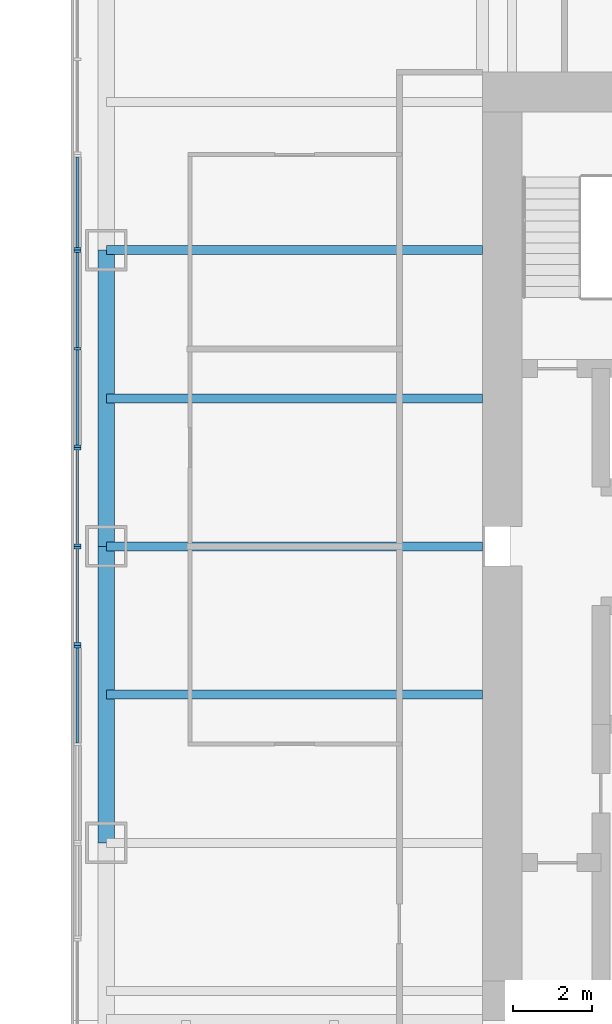
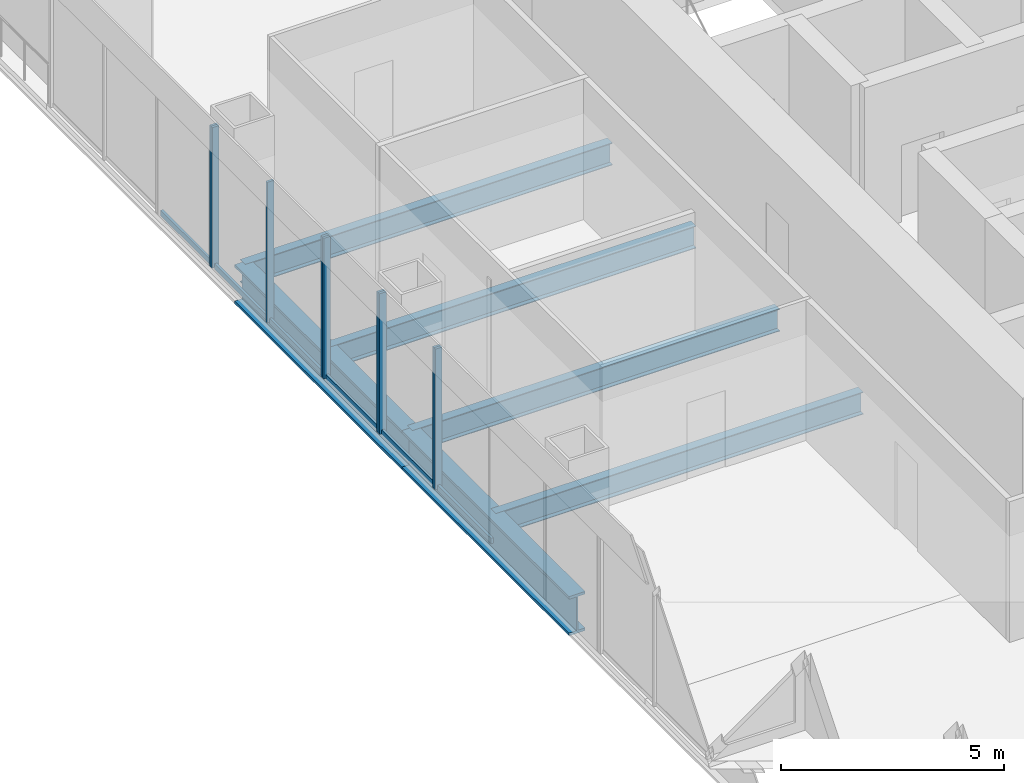
# One storey, part 3 of 13: 15 members, 6 beams, 5 elements without a shape of their own.
"""IFC4 building model written with IfcOpenShell, lengths in metres."""

from ifc_helpers import new_model, si_unit, direction, frame, origin, origin_2d, place, context, subcontext, project, spatial, rectangle, i_section, extrude, material, material_profile, profile_set, type_object, element, aggregate, save


model = new_model("IFC4")

# Units and contexts
model_context = context("Model", 3, precision=1e-05, world=origin(), true_north=direction((0.0, 1.0)))
body_context = subcontext(model_context, "Body", "Model", "MODEL_VIEW")
ifc_project = project(units=[si_unit("LENGTHUNIT", "METRE"), si_unit("AREAUNIT", "SQUARE_METRE"), si_unit("VOLUMEUNIT", "CUBIC_METRE"), si_unit("PLANEANGLEUNIT", "RADIAN"), si_unit("MASSUNIT", "GRAM", prefix="KILO")], contexts=[model_context])

# Site, building, storey
site_placement = place(None, origin())
site = spatial("IfcSite", under=ifc_project, at=site_placement, CompositionType="ELEMENT")
building_placement = place(site_placement, origin())
building = spatial("IfcBuilding", under=site, at=building_placement, Name="Tarangal Relay Tower", CompositionType="ELEMENT")
storey_placement = place(building_placement, frame((0.0, 0.0, 237.89990234375)))
storey = spatial("IfcBuildingStorey", under=building, at=storey_placement, Name="L51", CompositionType="ELEMENT", Elevation=237.89990234375)

# Beams
ifc_material_1 = material(Name="Steel ASTM A992", Category="steel")
ifc_material_profile_1 = material_profile(ifc_material_1, i_section(OverallWidth=0.41650390625, OverallDepth=1.0693359375, WebThickness=0.0390625, FlangeThickness=0.070068359375, at=origin_2d()), Name="W40X503")
ifc_profile_set_1 = profile_set([ifc_material_profile_1], Name="Steel ASTM A992")
beam_type_1 = type_object("IfcBeamType", Name="Edge girder W40X503", PredefinedType="SPANDREL", material=ifc_profile_set_1)
for number, where, z_axis, x_axis, name in (
    (1, (-21.514892578125, -7.5, -0.6845703125), (0.0, 1.0, 0.0), (-1.0, 0.0, 0.0), "Edge girder EG8 W L51"),
    (2, (-21.514892578125, 0.0, -0.6845703125), (0.0, 1.0, 0.0), (-1.0, 0.0, 0.0), "Edge girder EG8 W L51"),
):
    element("IfcBeam", number, at=place(storey_placement, frame(where, z_axis=z_axis, x_axis=x_axis)), inside=storey, type_object=beam_type_1, Name=name, PredefinedType="SPANDREL", context=body_context, shape_type="SweptSolid", body=[
        extrude(i_section(OverallWidth=0.41650390625, OverallDepth=1.0693359375, WebThickness=0.0390625, FlangeThickness=0.070068359375, at=origin_2d()), origin(), (0.0, 0.0, 1.0), 7.5),
    ])
ifc_material_profile_2 = material_profile(ifc_material_1, i_section(OverallWidth=0.22900390625, OverallDepth=0.612060546875, WebThickness=0.011962890625, FlangeThickness=0.01953125, at=origin_2d()), Name="W24X84")
ifc_profile_set_2 = profile_set([ifc_material_profile_2], Name="Steel ASTM A992")
beam_type_2 = type_object("IfcBeamType", Name="Floor beam W24X84", PredefinedType="BEAM", material=ifc_profile_set_2)
for number, where, z_axis, x_axis, name in (
    (3, (-12.0, -3.75, -0.455810546875), (-1.0, 0.0, 0.0), (0.0, -1.0, 0.0), "Floor beam RB12 W L51"),
    (4, (-12.0, 0.0, -0.455810546875), (-1.0, 0.0, 0.0), (0.0, -1.0, 0.0), "Floor beam RB12 W L51"),
    (5, (-12.0, 3.75, -0.455810546875), (-1.0, 0.0, 0.0), (0.0, -1.0, 0.0), "Floor beam RB12 W L51"),
    (6, (-12.0, 7.5, -0.455810546875), (-1.0, 0.0, 0.0), (0.0, -1.0, 0.0), "Floor beam RB12 W L51"),
):
    element("IfcBeam", number, at=place(storey_placement, frame(where, z_axis=z_axis, x_axis=x_axis)), inside=storey, type_object=beam_type_2, Name=name, PredefinedType="BEAM", context=body_context, shape_type="SweptSolid", body=[
        extrude(i_section(OverallWidth=0.22900390625, OverallDepth=0.612060546875, WebThickness=0.011962890625, FlangeThickness=0.01953125, at=origin_2d()), origin(), (0.0, 0.0, 1.0), 9.514892578125),
    ])

# Curtain wall, members
ifc_material_2 = material(Name="Unitised curtain wall, dark glass and black aluminium", Category="aluminium")
curtain_wall_type_1 = type_object("IfcCurtainWallType", Name="Curtain wall CW-A", PredefinedType="USERDEFINED", material=ifc_material_2)
curtain_wall_1_placement = place(storey_placement, origin())
curtain_wall_1 = element("IfcCurtainWall", 7, at=curtain_wall_1_placement, inside=storey, type_object=curtain_wall_type_1, Name="Curtain wall CW-A W facade L51", ObjectType="UNITISED CURTAIN WALL", PredefinedType="USERDEFINED")
ifc_material_3 = material(Name="Black anodised aluminium mullion", Category="aluminium")
ifc_material_profile_3 = material_profile(ifc_material_3, rectangle(XDim=0.175048828125, YDim=0.06494140625, at=origin_2d()), Name="CW-AM 65X175")
ifc_profile_set_3 = profile_set([ifc_material_profile_3], Name="Black anodised aluminium mullion")
member_type_1 = type_object("IfcMemberType", Name="Mullion CW-A 65 x 175", PredefinedType="MULLION", material=ifc_profile_set_3)
member_1_placement = place(storey_placement, frame((-22.25, -2.467529296875, 0.0), z_axis=(0.0, 0.0, 1.0), x_axis=(-1.0, 0.0, 0.0)))
member_1 = element("IfcMember", 8, at=member_1_placement, type_object=member_type_1, Name="CW-A mullion 1", PredefinedType="MULLION", context=body_context, shape_type="SweptSolid", body=[
    extrude(rectangle(XDim=0.175048828125, YDim=0.06494140625, at=origin_2d()), origin(), (0.0, 0.0, 1.0), 3.85009765625),
])
member_2_placement = place(storey_placement, frame((-22.25, -0.032470703125, 0.0), z_axis=(0.0, 0.0, 1.0), x_axis=(-1.0, 0.0, 0.0)))
member_2 = element("IfcMember", 9, at=member_2_placement, type_object=member_type_1, Name="CW-A mullion 2", PredefinedType="MULLION", context=body_context, shape_type="SweptSolid", body=[
    extrude(rectangle(XDim=0.175048828125, YDim=0.06494140625, at=origin_2d()), origin(), (0.0, 0.0, 1.0), 3.85009765625),
])

curtain_wall_2_placement = place(storey_placement, origin())
curtain_wall_2 = element("IfcCurtainWall", 10, at=curtain_wall_2_placement, inside=storey, type_object=curtain_wall_type_1, Name="Curtain wall CW-A W facade L51", ObjectType="UNITISED CURTAIN WALL", PredefinedType="USERDEFINED")
member_3_placement = place(storey_placement, frame((-22.25, 0.032470703125, 0.0), z_axis=(0.0, 0.0, 1.0), x_axis=(-1.0, 0.0, 0.0)))
member_3 = element("IfcMember", 11, at=member_3_placement, type_object=member_type_1, Name="CW-A mullion 1", PredefinedType="MULLION", context=body_context, shape_type="SweptSolid", body=[
    extrude(rectangle(XDim=0.175048828125, YDim=0.06494140625, at=origin_2d()), origin(), (0.0, 0.0, 1.0), 3.85009765625),
])
member_4_placement = place(storey_placement, frame((-22.25, 2.467529296875, 0.0), z_axis=(0.0, 0.0, 1.0), x_axis=(-1.0, 0.0, 0.0)))
member_4 = element("IfcMember", 12, at=member_4_placement, type_object=member_type_1, Name="CW-A mullion 2", PredefinedType="MULLION", context=body_context, shape_type="SweptSolid", body=[
    extrude(rectangle(XDim=0.175048828125, YDim=0.06494140625, at=origin_2d()), origin(), (0.0, 0.0, 1.0), 3.85009765625),
])

# Curtain wall, member
ifc_material_4 = material(Name="Unitised curtain wall frame, black aluminium, with metal clad infill walls", Category="aluminium")
curtain_wall_type_2 = type_object("IfcCurtainWallType", Name="Curtain wall CW-AO", PredefinedType="USERDEFINED", material=ifc_material_4)
curtain_wall_3_placement = place(storey_placement, origin())
curtain_wall_3 = element("IfcCurtainWall", 13, at=curtain_wall_3_placement, inside=storey, type_object=curtain_wall_type_2, Name="Curtain wall CW-AO W facade L51", ObjectType="UNITISED CURTAIN WALL", PredefinedType="USERDEFINED")
ifc_material_profile_4 = material_profile(ifc_material_3, rectangle(XDim=0.175048828125, YDim=0.06494140625, at=origin_2d()), Name="CW-AOM 65X175")
ifc_profile_set_4 = profile_set([ifc_material_profile_4], Name="Black anodised aluminium mullion")
member_type_2 = type_object("IfcMemberType", Name="Mullion CW-AO 65 x 175", PredefinedType="MULLION", material=ifc_profile_set_4)
member_5_placement = place(storey_placement, frame((-22.25, -2.532470703125, 0.0), z_axis=(0.0, 0.0, 1.0), x_axis=(-1.0, 0.0, 0.0)))
member_5 = element("IfcMember", 14, at=member_5_placement, type_object=member_type_2, Name="CW-AO mullion 3", PredefinedType="MULLION", context=body_context, shape_type="SweptSolid", body=[
    extrude(rectangle(XDim=0.175048828125, YDim=0.06494140625, at=origin_2d()), origin(), (0.0, 0.0, 1.0), 3.85009765625),
])

# Curtain wall, members
curtain_wall_4_placement = place(storey_placement, origin())
curtain_wall_4 = element("IfcCurtainWall", 15, at=curtain_wall_4_placement, inside=storey, type_object=curtain_wall_type_2, Name="Curtain wall CW-AO W facade L51", ObjectType="UNITISED CURTAIN WALL", PredefinedType="USERDEFINED")
member_6_placement = place(storey_placement, frame((-22.25, 2.532470703125, 0.0), z_axis=(0.0, 0.0, 1.0), x_axis=(-1.0, 0.0, 0.0)))
member_6 = element("IfcMember", 16, at=member_6_placement, type_object=member_type_2, Name="CW-AO mullion 1", PredefinedType="MULLION", context=body_context, shape_type="SweptSolid", body=[
    extrude(rectangle(XDim=0.175048828125, YDim=0.06494140625, at=origin_2d()), origin(), (0.0, 0.0, 1.0), 3.85009765625),
])
member_7_placement = place(storey_placement, frame((-22.25, 5.0, 0.0), z_axis=(0.0, 0.0, 1.0), x_axis=(-1.0, 0.0, 0.0)))
member_7 = element("IfcMember", 17, at=member_7_placement, type_object=member_type_2, Name="CW-AO mullion 2", PredefinedType="MULLION", context=body_context, shape_type="SweptSolid", body=[
    extrude(rectangle(XDim=0.175048828125, YDim=0.06494140625, at=origin_2d()), origin(), (0.0, 0.0, 1.0), 3.85009765625),
])
member_8_placement = place(storey_placement, frame((-22.25, 7.467529296875, 0.0), z_axis=(0.0, 0.0, 1.0), x_axis=(-1.0, 0.0, 0.0)))
member_8 = element("IfcMember", 18, at=member_8_placement, type_object=member_type_2, Name="CW-AO mullion 3", PredefinedType="MULLION", context=body_context, shape_type="SweptSolid", body=[
    extrude(rectangle(XDim=0.175048828125, YDim=0.06494140625, at=origin_2d()), origin(), (0.0, 0.0, 1.0), 3.85009765625),
])

# Curtain wall, member
curtain_wall_5_placement = place(storey_placement, origin())
curtain_wall_5 = element("IfcCurtainWall", 19, at=curtain_wall_5_placement, inside=storey, type_object=curtain_wall_type_2, Name="Curtain wall CW-AO W facade L51", ObjectType="UNITISED CURTAIN WALL", PredefinedType="USERDEFINED")
member_9_placement = place(storey_placement, frame((-22.25, 7.532470703125, 0.0), z_axis=(0.0, 0.0, 1.0), x_axis=(-1.0, 0.0, 0.0)))
member_9 = element("IfcMember", 20, at=member_9_placement, type_object=member_type_2, Name="CW-AO mullion 1", PredefinedType="MULLION", context=body_context, shape_type="SweptSolid", body=[
    extrude(rectangle(XDim=0.175048828125, YDim=0.06494140625, at=origin_2d()), origin(), (0.0, 0.0, 1.0), 3.85009765625),
])

# Member
ifc_material_5 = material(Name="Black anodised aluminium transom", Category="aluminium")
ifc_material_profile_5 = material_profile(ifc_material_5, rectangle(XDim=0.06494140625, YDim=0.14990234375, at=origin_2d()), Name="CW-AT 65X150")
ifc_profile_set_5 = profile_set([ifc_material_profile_5], Name="Black anodised aluminium transom")
member_type_3 = type_object("IfcMemberType", Name="Transom CW-A 65 x 150", PredefinedType="USERDEFINED", material=ifc_profile_set_5)
member_10_placement = place(storey_placement, frame((-22.25, -2.43505859375, 0.03271484375), z_axis=(0.0, 1.0, 0.0), x_axis=(-1.0, 0.0, 0.0)))
member_10 = element("IfcMember", 21, at=member_10_placement, type_object=member_type_3, Name="CW-A transom 1.1", ObjectType="TRANSOM", PredefinedType="USERDEFINED", context=body_context, shape_type="SweptSolid", body=[
    extrude(rectangle(XDim=0.06494140625, YDim=0.14990234375, at=origin_2d()), origin(), (0.0, 0.0, 1.0), 2.3701171875),
])

aggregate(curtain_wall_1, [member_1, member_2, member_10])

member_11_placement = place(storey_placement, frame((-22.25, 0.06494140625, 0.03271484375), z_axis=(0.0, 1.0, 0.0), x_axis=(-1.0, 0.0, 0.0)))
member_11 = element("IfcMember", 22, at=member_11_placement, type_object=member_type_3, Name="CW-A transom 1.1", ObjectType="TRANSOM", PredefinedType="USERDEFINED", context=body_context, shape_type="SweptSolid", body=[
    extrude(rectangle(XDim=0.06494140625, YDim=0.14990234375, at=origin_2d()), origin(), (0.0, 0.0, 1.0), 2.3701171875),
])

aggregate(curtain_wall_2, [member_3, member_4, member_11])

ifc_material_profile_6 = material_profile(ifc_material_5, rectangle(XDim=0.06494140625, YDim=0.14990234375, at=origin_2d()), Name="CW-AOT 65X150")
ifc_profile_set_6 = profile_set([ifc_material_profile_6], Name="Black anodised aluminium transom")
member_type_4 = type_object("IfcMemberType", Name="Transom CW-AO 65 x 150", PredefinedType="USERDEFINED", material=ifc_profile_set_6)
member_12_placement = place(storey_placement, frame((-22.25, -4.967529296875, 0.03271484375), z_axis=(0.0, 1.0, 0.0), x_axis=(-1.0, 0.0, 0.0)))
member_12 = element("IfcMember", 23, at=member_12_placement, type_object=member_type_4, Name="CW-AO transom 2.1", ObjectType="TRANSOM", PredefinedType="USERDEFINED", context=body_context, shape_type="SweptSolid", body=[
    extrude(rectangle(XDim=0.06494140625, YDim=0.14990234375, at=origin_2d()), origin(), (0.0, 0.0, 1.0), 2.402587890625),
])

aggregate(curtain_wall_3, [member_5, member_12])

member_13_placement = place(storey_placement, frame((-22.25, 2.56494140625, 0.03271484375), z_axis=(0.0, 1.0, 0.0), x_axis=(-1.0, 0.0, 0.0)))
member_13 = element("IfcMember", 24, at=member_13_placement, type_object=member_type_4, Name="CW-AO transom 1.1", ObjectType="TRANSOM", PredefinedType="USERDEFINED", context=body_context, shape_type="SweptSolid", body=[
    extrude(rectangle(XDim=0.06494140625, YDim=0.14990234375, at=origin_2d()), origin(), (0.0, 0.0, 1.0), 2.402587890625),
])

member_14_placement = place(storey_placement, frame((-22.25, 5.032470703125, 0.03271484375), z_axis=(0.0, 1.0, 0.0), x_axis=(-1.0, 0.0, 0.0)))
member_14 = element("IfcMember", 25, at=member_14_placement, type_object=member_type_4, Name="CW-AO transom 2.1", ObjectType="TRANSOM", PredefinedType="USERDEFINED", context=body_context, shape_type="SweptSolid", body=[
    extrude(rectangle(XDim=0.06494140625, YDim=0.14990234375, at=origin_2d()), origin(), (0.0, 0.0, 1.0), 2.402587890625),
])

aggregate(curtain_wall_4, [member_6, member_7, member_8, member_13, member_14])

member_15_placement = place(storey_placement, frame((-22.25, 7.56494140625, 0.03271484375), z_axis=(0.0, 1.0, 0.0), x_axis=(-1.0, 0.0, 0.0)))
member_15 = element("IfcMember", 26, at=member_15_placement, type_object=member_type_4, Name="CW-AO transom 1.1", ObjectType="TRANSOM", PredefinedType="USERDEFINED", context=body_context, shape_type="SweptSolid", body=[
    extrude(rectangle(XDim=0.06494140625, YDim=0.14990234375, at=origin_2d()), origin(), (0.0, 0.0, 1.0), 2.286865234375),
])

aggregate(curtain_wall_5, [member_9, member_15])

save(model, "model.ifc")
